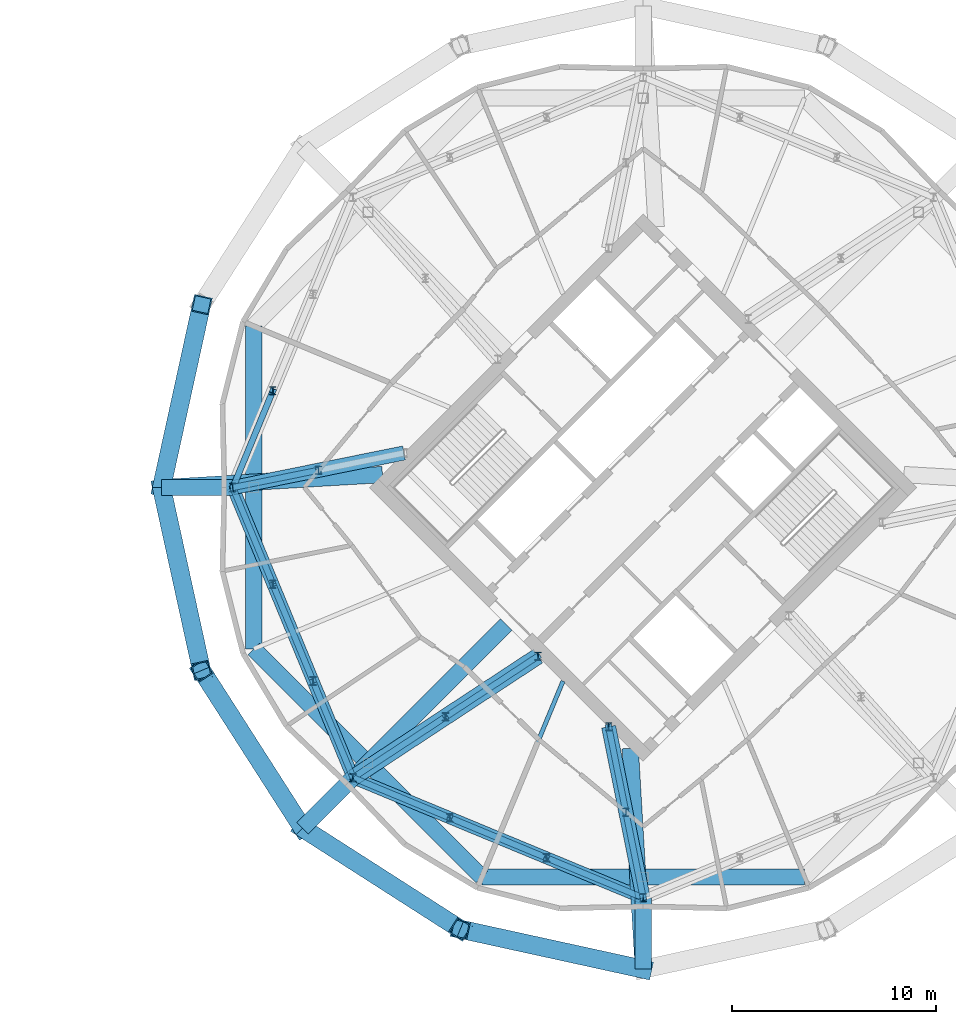
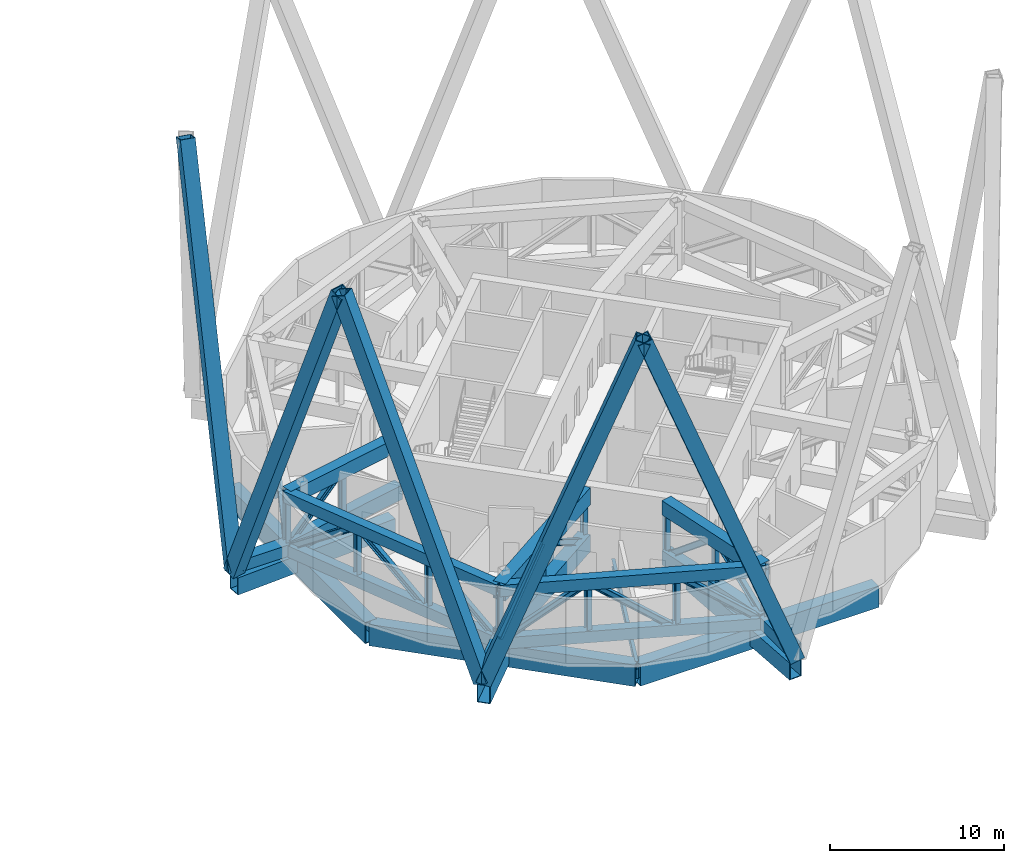
# One storey, part 7 of 19: 40 members, 10 beams.
"""IFC4 building model written with IfcOpenShell, lengths in metres."""

from ifc_helpers import new_model, si_unit, direction, frame, origin, origin_2d, place, context, subcontext, project, spatial, hollow_rectangle, i_section, extrude, material, material_profile, profile_set, type_object, element, save


model = new_model("IFC4")

# Units and contexts
model_context = context("Model", 3, precision=1e-05, world=origin(), true_north=direction((0.0, 1.0)))
body_context = subcontext(model_context, "Body", "Model", "MODEL_VIEW")
ifc_project = project(units=[si_unit("LENGTHUNIT", "METRE"), si_unit("AREAUNIT", "SQUARE_METRE"), si_unit("VOLUMEUNIT", "CUBIC_METRE"), si_unit("PLANEANGLEUNIT", "RADIAN"), si_unit("MASSUNIT", "GRAM", prefix="KILO")], contexts=[model_context])

# Site, building, storey
site_placement = place(None, origin())
site = spatial("IfcSite", under=ifc_project, at=site_placement, CompositionType="ELEMENT")
building_placement = place(site_placement, origin())
building = spatial("IfcBuilding", under=site, at=building_placement, Name="Ogive Gate Towers", CompositionType="ELEMENT")
storey_placement = place(building_placement, frame((0.0, 0.0, 216.300048828125)))
storey = spatial("IfcBuildingStorey", under=building, at=storey_placement, Name="L52", CompositionType="ELEMENT", Elevation=216.300048828125)

# Members
ifc_material_1 = material(Name="Steel SM460", Category="steel")
ifc_material_profile_1 = material_profile(ifc_material_1, hollow_rectangle(XDim=0.89990234375, YDim=0.89990234375, WallThickness=0.06005859375, at=origin_2d()), Name="BX 900x900x60")
ifc_profile_set_1 = profile_set([ifc_material_profile_1], Name="Steel SM460")
member_type_1 = type_object("IfcMemberType", Name="Diagrid diagonal BX 900x900x60", PredefinedType="BRACE", material=ifc_profile_set_1)
for number, where, z_axis, x_axis, name in (
    (1, (12.360107421875, 0.0, 0.0), (0.075657502601, 0.345566183474, 0.935339486571), (-0.976861702074, 0.21387195941, 0.0), "T2/L52/SDG009"),
    (2, (12.360107421875, 0.0, 0.0), (0.075657502601, -0.345566183474, 0.935339486571), (0.976861702074, 0.21387195941, 0.0), "T2/L52/SDG010"),
    (3, (19.283935546875, -16.716064453125, 0.0), (-0.190849196279, 0.297855932112, 0.935338670207), (-0.841987125326, -0.539497618887, 0.0), "T2/L52/SDG011"),
    (4, (19.283935546875, -16.716064453125, 0.0), (0.297855932112, -0.190849196279, 0.935338670207), (0.539497618887, 0.841987125326, 0.0), "T2/L52/SDG012"),
    (5, (36.0, -23.639892578125, 0.0), (-0.345566183474, 0.075657502601, 0.935339486571), (-0.21387195941, -0.976861702074, 0.0), "T2/L52/SDG013"),
):
    element("IfcMember", number, at=place(storey_placement, frame(where, z_axis=z_axis, x_axis=x_axis)), inside=storey, type_object=member_type_1, Name=name, PredefinedType="BRACE", context=body_context, shape_type="SweptSolid", body=[
        extrude(hollow_rectangle(XDim=0.89990234375, YDim=0.89990234375, WallThickness=0.06005859375, at=origin_2d()), origin(), (0.0, 0.0, 1.0), 25.97998046875),
    ])

# Beams
ifc_material_profile_2 = material_profile(ifc_material_1, hollow_rectangle(XDim=0.800048828125, YDim=1.5, WallThickness=0.06005859375, at=origin_2d()), Name="BX 1500x800x60")
ifc_profile_set_2 = profile_set([ifc_material_profile_2], Name="Steel SM460")
beam_type_1 = type_object("IfcBeamType", Name="Edge girder BX 1500x800x60", PredefinedType="BEAM", material=ifc_profile_set_2)
beam_1_placement = place(storey_placement, frame((16.885009765625, -7.917724609375, -1.050048828125), z_axis=(0.707106781187, -0.707106781187, 0.0), x_axis=(0.707106781187, 0.707106781187, 0.0)))
element("IfcBeam", 6, at=beam_1_placement, inside=storey, type_object=beam_type_1, Name="T2/L52/SBM017", PredefinedType="BEAM", context=body_context, shape_type="SweptSolid", body=[
    extrude(hollow_rectangle(XDim=0.800048828125, YDim=1.5, WallThickness=0.06005859375, at=origin_2d()), origin(), (0.0, 0.0, 1.0), 15.835205078125),
])
for number, where, z_axis, x_axis, name in (
    (7, (28.082275390625, -19.114990234375, -1.050048828125), (1.0, 0.0, 0.0), (0.0, 1.0, 0.0), "T2/L52/SBM018"),
    (8, (16.885009765625, 7.917724609375, -1.050048828125), (0.0, -1.0, 0.0), (1.0, 0.0, 0.0), "T2/L52/SBM024"),
):
    element("IfcBeam", number, at=place(storey_placement, frame(where, z_axis=z_axis, x_axis=x_axis)), inside=storey, type_object=beam_type_1, Name=name, PredefinedType="BEAM", context=body_context, shape_type="SweptSolid", body=[
        extrude(hollow_rectangle(XDim=0.800048828125, YDim=1.5, WallThickness=0.06005859375, at=origin_2d()), origin(), (0.0, 0.0, 1.0), 15.83544921875),
    ])
ifc_material_profile_3 = material_profile(ifc_material_1, hollow_rectangle(XDim=0.800048828125, YDim=0.800048828125, WallThickness=0.050048828125, at=origin_2d()), Name="BX 800x800x50")
ifc_profile_set_3 = profile_set([ifc_material_profile_3], Name="Steel SM460")
beam_type_2 = type_object("IfcBeamType", Name="Node arm BX 800x800x50", PredefinedType="BEAM", material=ifc_profile_set_3)
for number, where, z_axis, x_axis, name in (
    (9, (15.860107421875, 0.0, 0.449951171875), (-1.0, 0.0, 0.0), (0.0, -1.0, 0.0), "T2/L52/SBM029"),
    (10, (21.7587890625, -14.2412109375, 0.449951171875), (-0.707106781187, -0.707106781187, 0.0), (0.707106781187, -0.707106781187, 0.0), "T2/L52/SBM030"),
    (11, (36.0, -20.139892578125, 0.449951171875), (0.0, -1.0, 0.0), (1.0, 0.0, 0.0), "T2/L52/SBM031"),
):
    element("IfcBeam", number, at=place(storey_placement, frame(where, z_axis=z_axis, x_axis=x_axis)), inside=storey, type_object=beam_type_2, Name=name, PredefinedType="BEAM", context=body_context, shape_type="SweptSolid", body=[
        extrude(hollow_rectangle(XDim=0.800048828125, YDim=0.800048828125, WallThickness=0.050048828125, at=origin_2d()), origin(), (0.0, 0.0, 1.0), 3.5),
    ])
ifc_material_2 = material(Name="Steel SM355", Category="steel")
ifc_material_profile_4 = material_profile(ifc_material_2, i_section(OverallWidth=0.2099609375, OverallDepth=0.550048828125, WebThickness=0.010986328125, FlangeThickness=0.01708984375, FilletRadius=0.02392578125, at=origin_2d()), Name="IPE 550")
ifc_profile_set_4 = profile_set([ifc_material_profile_4], Name="Steel SM355")
beam_type_3 = type_object("IfcBeamType", Name="Radial floor beam IPE 550", PredefinedType="BEAM", material=ifc_profile_set_4)
beam_2_placement = place(storey_placement, frame((32.06494140625, -9.5, -0.574951171875), z_axis=(-0.382683978464, -0.92387930631, 0.0), x_axis=(0.92387930631, -0.382683978464, 0.0)))
element("IfcBeam", 12, at=beam_2_placement, inside=storey, type_object=beam_type_3, Name="T2/L52/SBM003", PredefinedType="BEAM", context=body_context, shape_type="SweptSolid", body=[
    extrude(i_section(OverallWidth=0.2099609375, OverallDepth=0.550048828125, WebThickness=0.010986328125, FlangeThickness=0.01708984375, FilletRadius=0.02392578125, at=origin_2d()), origin(), (0.0, 0.0, 1.0), 10.4072265625),
])
ifc_material_profile_5 = material_profile(ifc_material_1, hollow_rectangle(XDim=0.800048828125, YDim=1.199951171875, WallThickness=0.050048828125, at=origin_2d()), Name="BX 1200x800x50")
ifc_profile_set_5 = profile_set([ifc_material_profile_5], Name="Steel SM460")
beam_type_4 = type_object("IfcBeamType", Name="Transfer radial beam BX 1200x800x50", PredefinedType="BEAM", material=ifc_profile_set_5)
for number, where, z_axis, x_axis, name in (
    (13, (35.363525390625, -12.798583984375, -0.900146484375), (0.058607369633, -0.998281110822, 0.0), (0.998281110822, 0.058607369633, 0.0), "T2/L52/SBM004"),
    (14, (23.201416015625, 0.636474609375, -0.900146484375), (-0.998281110822, -0.058607369633, 0.0), (0.058607369633, -0.998281110822, 0.0), "T2/L52/SBM016"),
):
    element("IfcBeam", number, at=place(storey_placement, frame(where, z_axis=z_axis, x_axis=x_axis)), inside=storey, type_object=beam_type_4, Name=name, PredefinedType="BEAM", context=body_context, shape_type="SweptSolid", body=[
        extrude(hollow_rectangle(XDim=0.800048828125, YDim=1.199951171875, WallThickness=0.050048828125, at=origin_2d()), origin(), (0.0, 0.0, 1.0), 10.85986328125),
    ])
ifc_material_profile_6 = material_profile(ifc_material_1, hollow_rectangle(XDim=0.800048828125, YDim=1.300048828125, WallThickness=0.050048828125, at=origin_2d()), Name="BX 1300x800x50")
ifc_profile_set_6 = profile_set([ifc_material_profile_6], Name="Steel SM460")
beam_type_5 = type_object("IfcBeamType", Name="Transfer radial beam BX 1300x800x50", PredefinedType="BEAM", material=ifc_profile_set_6)
beam_3_placement = place(storey_placement, frame((29.282470703125, -6.717529296875, -0.949951171875), z_axis=(-0.707106781187, -0.707106781187, 0.0), x_axis=(0.707106781187, -0.707106781187, 0.0)))
element("IfcBeam", 15, at=beam_3_placement, inside=storey, type_object=beam_type_5, Name="T2/L52/SBM002", PredefinedType="BEAM", context=body_context, shape_type="SweptSolid", body=[
    extrude(hollow_rectangle(XDim=0.800048828125, YDim=1.300048828125, WallThickness=0.050048828125, at=origin_2d()), origin(), (0.0, 0.0, 1.0), 14.14013671875),
])

# Members
ifc_material_profile_7 = material_profile(ifc_material_1, hollow_rectangle(XDim=0.699951171875, YDim=1.0, WallThickness=0.050048828125, at=origin_2d()), Name="BX 1000x700x50")
ifc_profile_set_7 = profile_set([ifc_material_profile_7], Name="Steel SM460")
member_type_2 = type_object("IfcMemberType", Name="Truss chord BX 1000x700x50", PredefinedType="CHORD", material=ifc_profile_set_7)
for number, where, z_axis, x_axis, name in (
    (16, (24.261962890625, 1.697021484375, 0.5), (-0.980205334573, -0.197983590417, 0.0), (0.197983590417, -0.980205334573, 0.0), "T2/L52/STR066"),
    (17, (24.261962890625, 1.697021484375, 4.0), (-0.980205334573, -0.197983590417, 0.0), (0.197983590417, -0.980205334573, 0.0), "T2/L52/STR067"),
    (18, (34.302978515625, -11.738037109375, 0.5), (0.197983590417, -0.980205334573, 0.0), (0.980205334573, 0.197983590417, 0.0), "T2/L52/STR094"),
    (19, (34.302978515625, -11.738037109375, 4.0), (0.197983590417, -0.980205334573, 0.0), (0.980205334573, 0.197983590417, 0.0), "T2/L52/STR095"),
):
    element("IfcMember", number, at=place(storey_placement, frame(where, z_axis=z_axis, x_axis=x_axis)), inside=storey, type_object=member_type_2, Name=name, PredefinedType="CHORD", context=body_context, shape_type="SweptSolid", body=[
        extrude(hollow_rectangle(XDim=0.699951171875, YDim=1.0, WallThickness=0.050048828125, at=origin_2d()), origin(), (0.0, 0.0, 1.0), 8.571533203125),
    ])
ifc_material_profile_8 = material_profile(ifc_material_1, hollow_rectangle(XDim=0.800048828125, YDim=1.199951171875, WallThickness=0.050048828125, at=origin_2d()), Name="BX 1200x800x50")
ifc_profile_set_8 = profile_set([ifc_material_profile_8], Name="Steel SM460")
member_type_3 = type_object("IfcMemberType", Name="Truss chord BX 1200x800x50", PredefinedType="CHORD", material=ifc_profile_set_8)
for number, where, z_axis, x_axis, name in (
    (20, (30.838134765625, -8.273193359375, 0.599853515625), (-0.835638293924, -0.549280112263, 0.0), (0.549280112263, -0.835638293924, 0.0), "T2/L52/STR080"),
    (21, (30.838134765625, -8.273193359375, 3.89990234375), (-0.835638293924, -0.549280112263, 0.0), (0.549280112263, -0.835638293924, 0.0), "T2/L52/STR081"),
):
    element("IfcMember", number, at=place(storey_placement, frame(where, z_axis=z_axis, x_axis=x_axis)), inside=storey, type_object=member_type_3, Name=name, PredefinedType="CHORD", context=body_context, shape_type="SweptSolid", body=[
        extrude(hollow_rectangle(XDim=0.800048828125, YDim=1.199951171875, WallThickness=0.050048828125, at=origin_2d()), origin(), (0.0, 0.0, 1.0), 10.865234375),
    ])
ifc_material_profile_9 = material_profile(ifc_material_1, hollow_rectangle(XDim=0.60009765625, YDim=0.800048828125, WallThickness=0.0400390625, at=origin_2d()), Name="BX 800x600x40")
ifc_profile_set_9 = profile_set([ifc_material_profile_9], Name="Steel SM460")
member_type_4 = type_object("IfcMemberType", Name="Truss chord BX 800x600x40", PredefinedType="CHORD", material=ifc_profile_set_9)
for number, where, z_axis, x_axis, name in (
    (22, (15.860107421875, 0.0, 0.39990234375), (0.382671190687, -0.923884603085, 0.0), (0.923884603085, 0.382671190687, 0.0), "T2/L52/STR058"),
    (23, (15.860107421875, 0.0, 4.099853515625), (0.382671190687, -0.923884603085, 0.0), (0.923884603085, 0.382671190687, 0.0), "T2/L52/STR059"),
    (24, (21.7587890625, -14.2412109375, 0.39990234375), (0.923884603085, -0.382671190687, 0.0), (0.382671190687, 0.923884603085, 0.0), "T2/L52/STR072"),
    (25, (21.7587890625, -14.2412109375, 4.099853515625), (0.923884603085, -0.382671190687, 0.0), (0.382671190687, 0.923884603085, 0.0), "T2/L52/STR073"),
):
    element("IfcMember", number, at=place(storey_placement, frame(where, z_axis=z_axis, x_axis=x_axis)), inside=storey, type_object=member_type_4, Name=name, PredefinedType="CHORD", context=body_context, shape_type="SweptSolid", body=[
        extrude(hollow_rectangle(XDim=0.60009765625, YDim=0.800048828125, WallThickness=0.0400390625, at=origin_2d()), origin(), (0.0, 0.0, 1.0), 15.41455078125),
    ])
ifc_material_profile_10 = material_profile(ifc_material_1, i_section(OverallWidth=0.300048828125, OverallDepth=0.39990234375, WebThickness=0.013427734375, FlangeThickness=0.02392578125, FilletRadius=0.027099609375, at=origin_2d()), Name="HE 400 B")
ifc_profile_set_10 = profile_set([ifc_material_profile_10], Name="Steel SM460")
member_type_5 = type_object("IfcMemberType", Name="Truss diagonal HE 400 B", PredefinedType="BRACE", material=ifc_profile_set_10)
for number, where, z_axis, x_axis, name in (
    (26, (17.826171875, 4.7470703125, 4.099853515625), (-0.310514020445, -0.749737316967, -0.584358621613), (0.923895801957, -0.382644152086, 0.0), "T2/L52/STR048"),
    (27, (15.860107421875, 0.0, 0.39990234375), (0.310514020445, -0.749737316967, 0.584358621613), (0.923895801957, 0.382644152086, 0.0), "T2/L52/STR060"),
):
    element("IfcMember", number, at=place(storey_placement, frame(where, z_axis=z_axis, x_axis=x_axis)), inside=storey, type_object=member_type_5, Name=name, PredefinedType="BRACE", context=body_context, shape_type="SweptSolid", body=[
        extrude(i_section(OverallWidth=0.300048828125, OverallDepth=0.39990234375, WebThickness=0.013427734375, FlangeThickness=0.02392578125, FilletRadius=0.027099609375, at=origin_2d()), origin(), (0.0, 0.0, 1.0), 6.33154296875),
    ])
for number, where, z_axis, x_axis, name in (
    (28, (17.826171875, -4.7470703125, 4.099853515625), (0.310548860821, -0.74972833993, -0.58435162475), (0.923879003455, 0.382684709619, 0.0), "T2/L52/STR061"),
    (29, (19.79248046875, -9.494140625, 4.099853515625), (0.310548860821, -0.74972833993, -0.58435162475), (0.923879003455, 0.382684709619, 0.0), "T2/L52/STR062"),
):
    element("IfcMember", number, at=place(storey_placement, frame(where, z_axis=z_axis, x_axis=x_axis)), inside=storey, type_object=member_type_5, Name=name, PredefinedType="BRACE", context=body_context, shape_type="SweptSolid", body=[
        extrude(i_section(OverallWidth=0.300048828125, OverallDepth=0.39990234375, WebThickness=0.013427734375, FlangeThickness=0.02392578125, FilletRadius=0.027099609375, at=origin_2d()), origin(), (0.0, 0.0, 1.0), 6.331787109375),
    ])
member_1_placement = place(storey_placement, frame((20.06103515625, 0.8486328125, 4.0), z_axis=(-0.759201405893, -0.153366890619, -0.632528119653), x_axis=(0.198010956482, -0.98019980673, 0.0)))
element("IfcMember", 30, at=member_1_placement, inside=storey, type_object=member_type_5, Name="T2/L52/STR069", PredefinedType="BRACE", context=body_context, shape_type="SweptSolid", body=[
    extrude(i_section(OverallWidth=0.300048828125, OverallDepth=0.39990234375, WebThickness=0.013427734375, FlangeThickness=0.02392578125, FilletRadius=0.027099609375, at=origin_2d()), origin(), (0.0, 0.0, 1.0), 5.533447265625),
])
for number, where, z_axis, x_axis, name in (
    (31, (21.7587890625, -14.2412109375, 0.39990234375), (0.74972833993, -0.310548860821, 0.58435162475), (0.382684709619, 0.923879003455, 0.0), "T2/L52/STR074"),
    (32, (26.505859375, -16.20751953125, 4.099853515625), (0.74972833993, -0.310548860821, -0.58435162475), (0.382684709619, 0.923879003455, 0.0), "T2/L52/STR075"),
):
    element("IfcMember", number, at=place(storey_placement, frame(where, z_axis=z_axis, x_axis=x_axis)), inside=storey, type_object=member_type_5, Name=name, PredefinedType="BRACE", context=body_context, shape_type="SweptSolid", body=[
        extrude(i_section(OverallWidth=0.300048828125, OverallDepth=0.39990234375, WebThickness=0.013427734375, FlangeThickness=0.02392578125, FilletRadius=0.027099609375, at=origin_2d()), origin(), (0.0, 0.0, 1.0), 6.331787109375),
    ])
member_2_placement = place(storey_placement, frame((31.2529296875, -18.173828125, 4.099853515625), z_axis=(0.749737316967, -0.310514020445, -0.584358621613), x_axis=(0.382644152086, 0.923895801957, 0.0)))
element("IfcMember", 33, at=member_2_placement, inside=storey, type_object=member_type_5, Name="T2/L52/STR076", PredefinedType="BRACE", context=body_context, shape_type="SweptSolid", body=[
    extrude(i_section(OverallWidth=0.300048828125, OverallDepth=0.39990234375, WebThickness=0.013427734375, FlangeThickness=0.02392578125, FilletRadius=0.027099609375, at=origin_2d()), origin(), (0.0, 0.0, 1.0), 6.33154296875),
])
member_3_placement = place(storey_placement, frame((30.838134765625, -8.273193359375, 0.599853515625), z_axis=(-0.71419128267, -0.46944422162, 0.519184875113), x_axis=(0.549274735187, -0.835641828348, 0.0)))
element("IfcMember", 34, at=member_3_placement, inside=storey, type_object=member_type_5, Name="T2/L52/STR082", PredefinedType="BRACE", context=body_context, shape_type="SweptSolid", body=[
    extrude(i_section(OverallWidth=0.300048828125, OverallDepth=0.39990234375, WebThickness=0.013427734375, FlangeThickness=0.02392578125, FilletRadius=0.027099609375, at=origin_2d()), origin(), (0.0, 0.0, 1.0), 6.356201171875),
])
member_4_placement = place(storey_placement, frame((26.298583984375, -11.257080078125, 3.89990234375), z_axis=(-0.714197222457, -0.469461287985, -0.519161272167), x_axis=(0.549285488982, -0.835634759685, 0.0)))
element("IfcMember", 35, at=member_4_placement, inside=storey, type_object=member_type_5, Name="T2/L52/STR083", PredefinedType="BRACE", context=body_context, shape_type="SweptSolid", body=[
    extrude(i_section(OverallWidth=0.300048828125, OverallDepth=0.39990234375, WebThickness=0.013427734375, FlangeThickness=0.02392578125, FilletRadius=0.027099609375, at=origin_2d()), origin(), (0.0, 0.0, 1.0), 6.3564453125),
])
member_5_placement = place(storey_placement, frame((34.302978515625, -11.738037109375, 0.5), z_axis=(0.153323806325, -0.759206542571, 0.632532399274), x_axis=(0.980210861715, 0.197956223889, 0.0)))
element("IfcMember", 36, at=member_5_placement, inside=storey, type_object=member_type_5, Name="T2/L52/STR096", PredefinedType="BRACE", context=body_context, shape_type="SweptSolid", body=[
    extrude(i_section(OverallWidth=0.300048828125, OverallDepth=0.39990234375, WebThickness=0.013427734375, FlangeThickness=0.02392578125, FilletRadius=0.027099609375, at=origin_2d()), origin(), (0.0, 0.0, 1.0), 5.533203125),
])
member_6_placement = place(storey_placement, frame((35.1513671875, -15.93896484375, 4.0), z_axis=(0.153366890619, -0.759201405893, -0.632528119653), x_axis=(0.98019980673, 0.198010956482, 0.0)))
element("IfcMember", 37, at=member_6_placement, inside=storey, type_object=member_type_5, Name="T2/L52/STR097", PredefinedType="BRACE", context=body_context, shape_type="SweptSolid", body=[
    extrude(i_section(OverallWidth=0.300048828125, OverallDepth=0.39990234375, WebThickness=0.013427734375, FlangeThickness=0.02392578125, FilletRadius=0.027099609375, at=origin_2d()), origin(), (0.0, 0.0, 1.0), 5.533447265625),
])
ifc_material_profile_11 = material_profile(ifc_material_1, i_section(OverallWidth=0.300048828125, OverallDepth=0.39990234375, WebThickness=0.013427734375, FlangeThickness=0.02392578125, FilletRadius=0.027099609375, at=origin_2d()), Name="HE 400 B")
ifc_profile_set_11 = profile_set([ifc_material_profile_11], Name="Steel SM460")
member_type_6 = type_object("IfcMemberType", Name="Truss post HE 400 B", PredefinedType="POST", material=ifc_profile_set_11)
for number, where, z_axis, x_axis, name in (
    (38, (17.826171875, 4.7470703125, 0.39990234375), (0.0, 0.0, 1.0), (1.0, 0.0, 0.0), "T2/L52/STR050"),
    (39, (15.860107421875, 0.0, 0.39990234375), (0.0, 0.0, 1.0), (1.0, 0.0, 0.0), "T2/L52/STR051"),
    (40, (17.826171875, -4.7470703125, 0.39990234375), (0.0, 0.0, 1.0), (1.0, 0.0, 0.0), "T2/L52/STR063"),
    (41, (19.79248046875, -9.494140625, 0.39990234375), (0.0, 0.0, 1.0), (1.0, 0.0, 0.0), "T2/L52/STR064"),
    (42, (21.7587890625, -14.2412109375, 0.39990234375), (0.0, 0.0, 1.0), (1.0, 0.0, 0.0), "T2/L52/STR065"),
):
    element("IfcMember", number, at=place(storey_placement, frame(where, z_axis=z_axis, x_axis=x_axis)), inside=storey, type_object=member_type_6, Name=name, PredefinedType="POST", context=body_context, shape_type="SweptSolid", body=[
        extrude(i_section(OverallWidth=0.300048828125, OverallDepth=0.39990234375, WebThickness=0.013427734375, FlangeThickness=0.02392578125, FilletRadius=0.027099609375, at=origin_2d()), origin(), (0.0, 0.0, 1.0), 3.699951171875),
    ])
member_7_placement = place(storey_placement, frame((20.06103515625, 0.8486328125, 0.5), z_axis=(0.0, 0.0, 1.0), x_axis=(1.0, 0.0, 0.0)))
element("IfcMember", 43, at=member_7_placement, inside=storey, type_object=member_type_6, Name="T2/L52/STR071", PredefinedType="POST", context=body_context, shape_type="SweptSolid", body=[
    extrude(i_section(OverallWidth=0.300048828125, OverallDepth=0.39990234375, WebThickness=0.013427734375, FlangeThickness=0.02392578125, FilletRadius=0.027099609375, at=origin_2d()), origin(), (0.0, 0.0, 1.0), 3.5),
])
for number, where, z_axis, x_axis, name in (
    (44, (26.505859375, -16.20751953125, 0.39990234375), (0.0, 0.0, 1.0), (1.0, 0.0, 0.0), "T2/L52/STR077"),
    (45, (31.2529296875, -18.173828125, 0.39990234375), (0.0, 0.0, 1.0), (1.0, 0.0, 0.0), "T2/L52/STR078"),
    (46, (36.0, -20.139892578125, 0.39990234375), (0.0, 0.0, 1.0), (1.0, 0.0, 0.0), "T2/L52/STR079"),
):
    element("IfcMember", number, at=place(storey_placement, frame(where, z_axis=z_axis, x_axis=x_axis)), inside=storey, type_object=member_type_6, Name=name, PredefinedType="POST", context=body_context, shape_type="SweptSolid", body=[
        extrude(i_section(OverallWidth=0.300048828125, OverallDepth=0.39990234375, WebThickness=0.013427734375, FlangeThickness=0.02392578125, FilletRadius=0.027099609375, at=origin_2d()), origin(), (0.0, 0.0, 1.0), 3.699951171875),
    ])
for number, where, z_axis, x_axis, name in (
    (47, (30.838134765625, -8.273193359375, 0.599853515625), (0.0, 0.0, 1.0), (1.0, 0.0, 0.0), "T2/L52/STR084"),
    (48, (26.298583984375, -11.257080078125, 0.599853515625), (0.0, 0.0, 1.0), (1.0, 0.0, 0.0), "T2/L52/STR085"),
):
    element("IfcMember", number, at=place(storey_placement, frame(where, z_axis=z_axis, x_axis=x_axis)), inside=storey, type_object=member_type_6, Name=name, PredefinedType="POST", context=body_context, shape_type="SweptSolid", body=[
        extrude(i_section(OverallWidth=0.300048828125, OverallDepth=0.39990234375, WebThickness=0.013427734375, FlangeThickness=0.02392578125, FilletRadius=0.027099609375, at=origin_2d()), origin(), (0.0, 0.0, 1.0), 3.300048828125),
    ])
for number, where, z_axis, x_axis, name in (
    (49, (34.302978515625, -11.738037109375, 0.5), (0.0, 0.0, 1.0), (1.0, 0.0, 0.0), "T2/L52/STR098"),
    (50, (35.1513671875, -15.93896484375, 0.5), (0.0, 0.0, 1.0), (1.0, 0.0, 0.0), "T2/L52/STR099"),
):
    element("IfcMember", number, at=place(storey_placement, frame(where, z_axis=z_axis, x_axis=x_axis)), inside=storey, type_object=member_type_6, Name=name, PredefinedType="POST", context=body_context, shape_type="SweptSolid", body=[
        extrude(i_section(OverallWidth=0.300048828125, OverallDepth=0.39990234375, WebThickness=0.013427734375, FlangeThickness=0.02392578125, FilletRadius=0.027099609375, at=origin_2d()), origin(), (0.0, 0.0, 1.0), 3.5),
    ])

save(model, "model.ifc")
